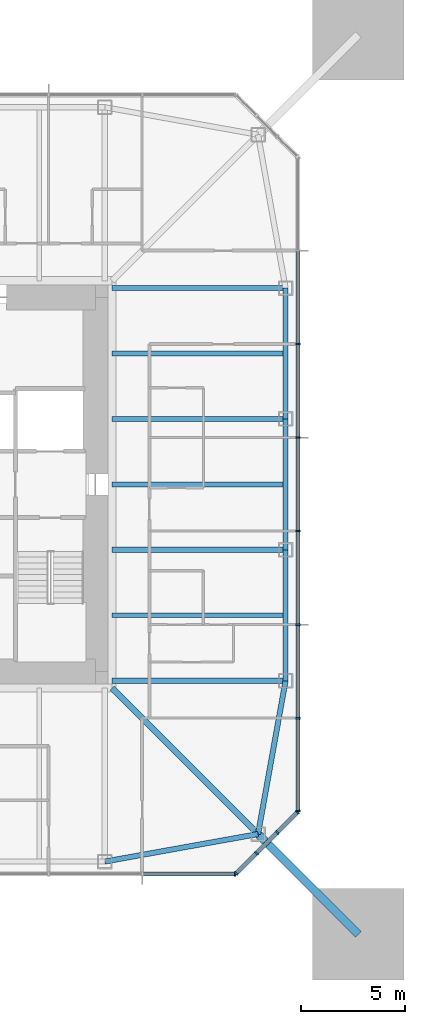
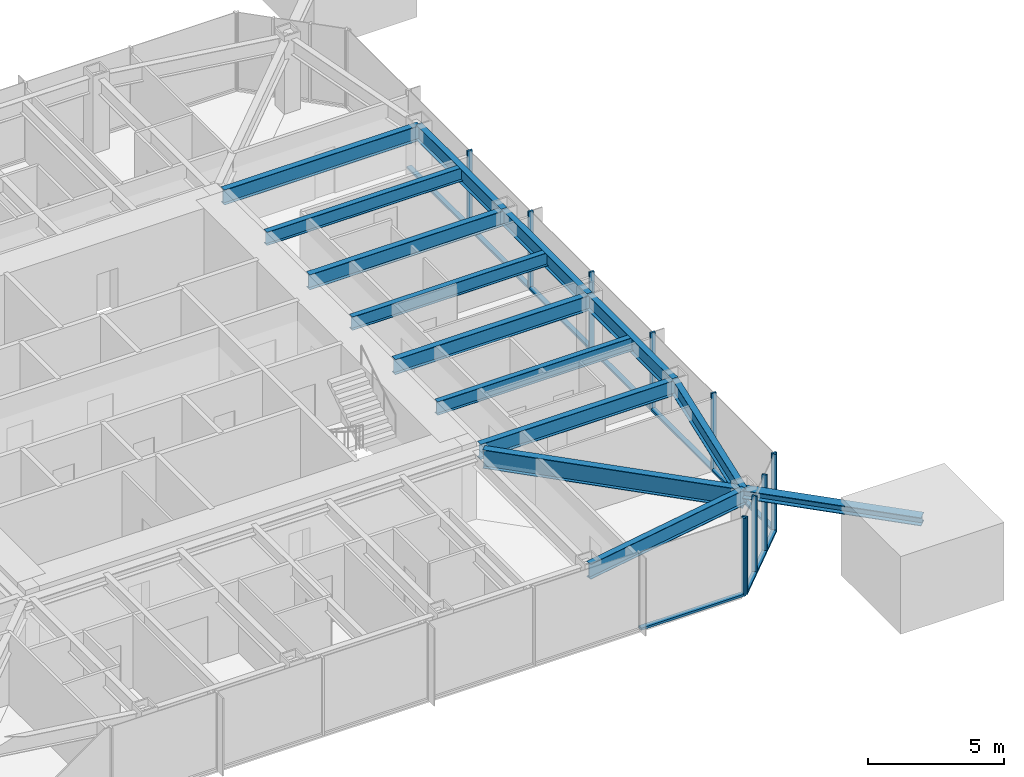
# One storey, part 3 of 11: 22 members, 13 beams, 3 elements without a shape of their own.
"""IFC4 building model written with IfcOpenShell, lengths in metres."""

from ifc_helpers import new_model, si_unit, direction, frame, origin, origin_2d, place, context, subcontext, project, spatial, rectangle, i_section, extrude, material, material_profile, profile_set, type_object, element, aggregate, save


model = new_model("IFC4")

# Units and contexts
model_context = context("Model", 3, precision=1e-05, world=origin(), true_north=direction((0.0, 1.0)))
body_context = subcontext(model_context, "Body", "Model", "MODEL_VIEW")
ifc_project = project(units=[si_unit("LENGTHUNIT", "METRE"), si_unit("AREAUNIT", "SQUARE_METRE"), si_unit("VOLUMEUNIT", "CUBIC_METRE"), si_unit("PLANEANGLEUNIT", "RADIAN"), si_unit("MASSUNIT", "GRAM", prefix="KILO")], contexts=[model_context])

# Site, building, storey
site_placement = place(None, origin())
site = spatial("IfcSite", under=ifc_project, at=site_placement, CompositionType="ELEMENT")
building_placement = place(site_placement, origin())
building = spatial("IfcBuilding", under=site, at=building_placement, Name="Iwan Alto Co-Living Towers", CompositionType="ELEMENT")
storey_placement = place(building_placement, frame((0.0, 0.0, 156.5)))
storey = spatial("IfcBuildingStorey", under=building, at=storey_placement, Name="L42", CompositionType="ELEMENT", Elevation=156.5)

# Curtain wall, member
ifc_material_1 = material(Name="Bronze aluminium unitised frame", Category="aluminium")
curtain_wall_type_1 = type_object("IfcCurtainWallType", Name="CURTAIN WALL CW-A", PredefinedType="NOTDEFINED", material=ifc_material_1)
curtain_wall_1_placement = place(storey_placement, origin())
curtain_wall_1 = element("IfcCurtainWall", 1, at=curtain_wall_1_placement, inside=storey, type_object=curtain_wall_type_1, Name="T1 curtain wall S L42", PredefinedType="NOTDEFINED")
ifc_material_2 = material(Name="Aluminium 6063-T6 bronze anodised", Category="aluminium")
ifc_material_profile_1 = material_profile(ifc_material_2, rectangle(XDim=0.199951171875, YDim=0.080078125, at=origin_2d()), Name="AL 80X200")
ifc_profile_set_1 = profile_set([ifc_material_profile_1], Name="Aluminium 6063-T6 bronze anodised")
member_type_1 = type_object("IfcMemberType", Name="CW-A MULLION 80X200", PredefinedType="MULLION", material=ifc_profile_set_1)
member_1_placement = place(storey_placement, frame((15.7099609375, -18.75, 0.0), z_axis=(0.0, 0.0, 1.0), x_axis=(0.0, 1.0, 0.0)))
member_1 = element("IfcMember", 2, at=member_1_placement, type_object=member_type_1, Name="CW-A mullion 8", PredefinedType="MULLION", context=body_context, shape_type="SweptSolid", body=[
    extrude(rectangle(XDim=0.199951171875, YDim=0.080078125, at=origin_2d()), origin(), (0.0, 0.0, 1.0), 3.5),
])

# Curtain wall, members
curtain_wall_2_placement = place(storey_placement, origin())
curtain_wall_2 = element("IfcCurtainWall", 3, at=curtain_wall_2_placement, inside=storey, type_object=curtain_wall_type_1, Name="T1 curtain wall E L42", PredefinedType="NOTDEFINED")
member_2_placement = place(storey_placement, frame((18.75, -15.7099609375, 0.0), z_axis=(0.0, 0.0, 1.0), x_axis=(-1.0, 0.0, 0.0)))
member_2 = element("IfcMember", 4, at=member_2_placement, type_object=member_type_1, Name="CW-A mullion 1", PredefinedType="MULLION", context=body_context, shape_type="SweptSolid", body=[
    extrude(rectangle(XDim=0.199951171875, YDim=0.080078125, at=origin_2d()), origin(), (0.0, 0.0, 1.0), 3.5),
])
member_3_placement = place(storey_placement, frame((18.75, -11.25, 0.0), z_axis=(0.0, 0.0, 1.0), x_axis=(-1.0, 0.0, 0.0)))
member_3 = element("IfcMember", 5, at=member_3_placement, type_object=member_type_1, Name="CW-A mullion 2", PredefinedType="MULLION", context=body_context, shape_type="SweptSolid", body=[
    extrude(rectangle(XDim=0.199951171875, YDim=0.080078125, at=origin_2d()), origin(), (0.0, 0.0, 1.0), 3.5),
])
member_4_placement = place(storey_placement, frame((18.75, -6.75, 0.0), z_axis=(0.0, 0.0, 1.0), x_axis=(-1.0, 0.0, 0.0)))
member_4 = element("IfcMember", 6, at=member_4_placement, type_object=member_type_1, Name="CW-A mullion 3", PredefinedType="MULLION", context=body_context, shape_type="SweptSolid", body=[
    extrude(rectangle(XDim=0.199951171875, YDim=0.080078125, at=origin_2d()), origin(), (0.0, 0.0, 1.0), 3.5),
])
member_5_placement = place(storey_placement, frame((18.75, -2.25, 0.0), z_axis=(0.0, 0.0, 1.0), x_axis=(-1.0, 0.0, 0.0)))
member_5 = element("IfcMember", 7, at=member_5_placement, type_object=member_type_1, Name="CW-A mullion 4", PredefinedType="MULLION", context=body_context, shape_type="SweptSolid", body=[
    extrude(rectangle(XDim=0.199951171875, YDim=0.080078125, at=origin_2d()), origin(), (0.0, 0.0, 1.0), 3.5),
])
member_6_placement = place(storey_placement, frame((18.75, 2.25, 0.0), z_axis=(0.0, 0.0, 1.0), x_axis=(-1.0, 0.0, 0.0)))
member_6 = element("IfcMember", 8, at=member_6_placement, type_object=member_type_1, Name="CW-A mullion 5", PredefinedType="MULLION", context=body_context, shape_type="SweptSolid", body=[
    extrude(rectangle(XDim=0.199951171875, YDim=0.080078125, at=origin_2d()), origin(), (0.0, 0.0, 1.0), 3.5),
])
member_7_placement = place(storey_placement, frame((18.75, 6.75, 0.0), z_axis=(0.0, 0.0, 1.0), x_axis=(-1.0, 0.0, 0.0)))
member_7 = element("IfcMember", 9, at=member_7_placement, type_object=member_type_1, Name="CW-A mullion 6", PredefinedType="MULLION", context=body_context, shape_type="SweptSolid", body=[
    extrude(rectangle(XDim=0.199951171875, YDim=0.080078125, at=origin_2d()), origin(), (0.0, 0.0, 1.0), 3.5),
])

# Member
ifc_material_3 = material(Name="Aluminium 6063-T6 bronze anodised", Category="aluminium")
ifc_material_profile_2 = material_profile(ifc_material_3, rectangle(XDim=0.199951171875, YDim=0.10009765625, at=origin_2d()), Name="AL 200X100")
ifc_profile_set_2 = profile_set([ifc_material_profile_2], Name="Aluminium 6063-T6 bronze anodised")
member_type_2 = type_object("IfcMemberType", Name="CW-A TRANSOM 200X100", PredefinedType="USERDEFINED", material=ifc_profile_set_2)
member_8_placement = place(storey_placement, frame((11.2900390625, -18.75, 0.050048828125), z_axis=(1.0, 0.0, 0.0), x_axis=(0.0, 1.0, 0.0)))
member_8 = element("IfcMember", 10, at=member_8_placement, type_object=member_type_2, Name="CW-A transom 7.1", ObjectType="TRANSOM", PredefinedType="USERDEFINED", context=body_context, shape_type="SweptSolid", body=[
    extrude(rectangle(XDim=0.199951171875, YDim=0.10009765625, at=origin_2d()), origin(), (0.0, 0.0, 1.0), 4.3798828125),
])

aggregate(curtain_wall_1, [member_1, member_8])

member_9_placement = place(storey_placement, frame((18.75, -15.669921875, 0.050048828125), z_axis=(0.0, 1.0, 0.0), x_axis=(-1.0, 0.0, 0.0)))
member_9 = element("IfcMember", 11, at=member_9_placement, type_object=member_type_2, Name="CW-A transom 1.1", ObjectType="TRANSOM", PredefinedType="USERDEFINED", context=body_context, shape_type="SweptSolid", body=[
    extrude(rectangle(XDim=0.199951171875, YDim=0.10009765625, at=origin_2d()), origin(), (0.0, 0.0, 1.0), 4.3798828125),
])

member_10_placement = place(storey_placement, frame((18.75, -11.2099609375, 0.050048828125), z_axis=(0.0, 1.0, 0.0), x_axis=(-1.0, 0.0, 0.0)))
member_10 = element("IfcMember", 12, at=member_10_placement, type_object=member_type_2, Name="CW-A transom 2.1", ObjectType="TRANSOM", PredefinedType="USERDEFINED", context=body_context, shape_type="SweptSolid", body=[
    extrude(rectangle(XDim=0.199951171875, YDim=0.10009765625, at=origin_2d()), origin(), (0.0, 0.0, 1.0), 4.419921875),
])

member_11_placement = place(storey_placement, frame((18.75, -6.7099609375, 0.050048828125), z_axis=(0.0, 1.0, 0.0), x_axis=(-1.0, 0.0, 0.0)))
member_11 = element("IfcMember", 13, at=member_11_placement, type_object=member_type_2, Name="CW-A transom 3.1", ObjectType="TRANSOM", PredefinedType="USERDEFINED", context=body_context, shape_type="SweptSolid", body=[
    extrude(rectangle(XDim=0.199951171875, YDim=0.10009765625, at=origin_2d()), origin(), (0.0, 0.0, 1.0), 4.419921875),
])

member_12_placement = place(storey_placement, frame((18.75, -2.2099609375, 0.050048828125), z_axis=(0.0, 1.0, 0.0), x_axis=(-1.0, 0.0, 0.0)))
member_12 = element("IfcMember", 14, at=member_12_placement, type_object=member_type_2, Name="CW-A transom 4.1", ObjectType="TRANSOM", PredefinedType="USERDEFINED", context=body_context, shape_type="SweptSolid", body=[
    extrude(rectangle(XDim=0.199951171875, YDim=0.10009765625, at=origin_2d()), origin(), (0.0, 0.0, 1.0), 4.419921875),
])

member_13_placement = place(storey_placement, frame((18.75, 2.2900390625, 0.050048828125), z_axis=(0.0, 1.0, 0.0), x_axis=(-1.0, 0.0, 0.0)))
member_13 = element("IfcMember", 15, at=member_13_placement, type_object=member_type_2, Name="CW-A transom 5.1", ObjectType="TRANSOM", PredefinedType="USERDEFINED", context=body_context, shape_type="SweptSolid", body=[
    extrude(rectangle(XDim=0.199951171875, YDim=0.10009765625, at=origin_2d()), origin(), (0.0, 0.0, 1.0), 4.419921875),
])

member_14_placement = place(storey_placement, frame((18.75, 6.7900390625, 0.050048828125), z_axis=(0.0, 1.0, 0.0), x_axis=(-1.0, 0.0, 0.0)))
member_14 = element("IfcMember", 16, at=member_14_placement, type_object=member_type_2, Name="CW-A transom 6.1", ObjectType="TRANSOM", PredefinedType="USERDEFINED", context=body_context, shape_type="SweptSolid", body=[
    extrude(rectangle(XDim=0.199951171875, YDim=0.10009765625, at=origin_2d()), origin(), (0.0, 0.0, 1.0), 4.419921875),
])

aggregate(curtain_wall_2, [member_2, member_3, member_4, member_5, member_6, member_7, member_9, member_10, member_11, member_12, member_13, member_14])

# Curtain wall, members
ifc_material_4 = material(Name="Bronze aluminium unitised frame", Category="aluminium")
curtain_wall_type_2 = type_object("IfcCurtainWallType", Name="CURTAIN WALL CW-B", PredefinedType="NOTDEFINED", material=ifc_material_4)
curtain_wall_3_placement = place(storey_placement, origin())
curtain_wall_3 = element("IfcCurtainWall", 17, at=curtain_wall_3_placement, inside=storey, type_object=curtain_wall_type_2, Name="T1 chamfer curtain wall SE L42", PredefinedType="NOTDEFINED")
ifc_material_5 = material(Name="Aluminium 6063-T6 bronze anodised", Category="aluminium")
ifc_material_profile_3 = material_profile(ifc_material_5, rectangle(XDim=0.199951171875, YDim=0.080078125, at=origin_2d()), Name="AL 80X200")
ifc_profile_set_3 = profile_set([ifc_material_profile_3], Name="Aluminium 6063-T6 bronze anodised")
member_type_3 = type_object("IfcMemberType", Name="CW-B MULLION 80X200", PredefinedType="MULLION", material=ifc_profile_set_3)
member_15_placement = place(storey_placement, frame((15.7783203125, -18.7216796875, 0.0), z_axis=(0.0, 0.0, 1.0), x_axis=(-0.707106781187, 0.707106781187, 0.0)))
member_15 = element("IfcMember", 18, at=member_15_placement, type_object=member_type_3, Name="CW-B mullion 1", PredefinedType="MULLION", context=body_context, shape_type="SweptSolid", body=[
    extrude(rectangle(XDim=0.199951171875, YDim=0.080078125, at=origin_2d()), origin(), (0.0, 0.0, 1.0), 3.5),
])
member_16_placement = place(storey_placement, frame((16.75, -17.75, 0.0), z_axis=(0.0, 0.0, 1.0), x_axis=(-0.707106781187, 0.707106781187, 0.0)))
member_16 = element("IfcMember", 19, at=member_16_placement, type_object=member_type_3, Name="CW-B mullion 2", PredefinedType="MULLION", context=body_context, shape_type="SweptSolid", body=[
    extrude(rectangle(XDim=0.199951171875, YDim=0.080078125, at=origin_2d()), origin(), (0.0, 0.0, 1.0), 3.5),
])
member_17_placement = place(storey_placement, frame((17.75, -16.75, 0.0), z_axis=(0.0, 0.0, 1.0), x_axis=(-0.707106781187, 0.707106781187, 0.0)))
member_17 = element("IfcMember", 20, at=member_17_placement, type_object=member_type_3, Name="CW-B mullion 3", PredefinedType="MULLION", context=body_context, shape_type="SweptSolid", body=[
    extrude(rectangle(XDim=0.199951171875, YDim=0.080078125, at=origin_2d()), origin(), (0.0, 0.0, 1.0), 3.5),
])
member_18_placement = place(storey_placement, frame((18.7216796875, -15.7783203125, 0.0), z_axis=(0.0, 0.0, 1.0), x_axis=(-0.707106781187, 0.707106781187, 0.0)))
member_18 = element("IfcMember", 21, at=member_18_placement, type_object=member_type_3, Name="CW-B mullion 4", PredefinedType="MULLION", context=body_context, shape_type="SweptSolid", body=[
    extrude(rectangle(XDim=0.199951171875, YDim=0.080078125, at=origin_2d()), origin(), (0.0, 0.0, 1.0), 3.5),
])
ifc_material_6 = material(Name="Aluminium 6063-T6 bronze anodised", Category="aluminium")
ifc_material_profile_4 = material_profile(ifc_material_6, rectangle(XDim=0.199951171875, YDim=0.10009765625, at=origin_2d()), Name="AL 200X100")
ifc_profile_set_4 = profile_set([ifc_material_profile_4], Name="Aluminium 6063-T6 bronze anodised")
member_type_4 = type_object("IfcMemberType", Name="CW-B TRANSOM 200X100", PredefinedType="USERDEFINED", material=ifc_profile_set_4)
member_19_placement = place(storey_placement, frame((15.806640625, -18.693359375, 0.050048828125), z_axis=(0.707106781187, 0.707106781187, 0.0), x_axis=(-0.707106781187, 0.707106781187, 0.0)))
member_19 = element("IfcMember", 22, at=member_19_placement, type_object=member_type_4, Name="CW-B transom 1.1", ObjectType="TRANSOM", PredefinedType="USERDEFINED", context=body_context, shape_type="SweptSolid", body=[
    extrude(rectangle(XDim=0.199951171875, YDim=0.10009765625, at=origin_2d()), origin(), (0.0, 0.0, 1.0), 1.2939453125),
])
member_20_placement = place(storey_placement, frame((16.7783203125, -17.7216796875, 0.050048828125), z_axis=(0.707106781187, 0.707106781187, 0.0), x_axis=(-0.707106781187, 0.707106781187, 0.0)))
member_20 = element("IfcMember", 23, at=member_20_placement, type_object=member_type_4, Name="CW-B transom 2.1", ObjectType="TRANSOM", PredefinedType="USERDEFINED", context=body_context, shape_type="SweptSolid", body=[
    extrude(rectangle(XDim=0.199951171875, YDim=0.10009765625, at=origin_2d()), origin(), (0.0, 0.0, 1.0), 1.334228515625),
])
member_21_placement = place(storey_placement, frame((17.7783203125, -16.7216796875, 0.050048828125), z_axis=(0.707106781187, 0.707106781187, 0.0), x_axis=(-0.707106781187, 0.707106781187, 0.0)))
member_21 = element("IfcMember", 24, at=member_21_placement, type_object=member_type_4, Name="CW-B transom 3.1", ObjectType="TRANSOM", PredefinedType="USERDEFINED", context=body_context, shape_type="SweptSolid", body=[
    extrude(rectangle(XDim=0.199951171875, YDim=0.10009765625, at=origin_2d()), origin(), (0.0, 0.0, 1.0), 1.2939453125),
])
aggregate(curtain_wall_3, [member_15, member_16, member_17, member_18, member_19, member_20, member_21])

# Beams
ifc_material_7 = material(Name="Steel ASTM A992 Gr 50", Category="steel")
ifc_material_profile_5 = material_profile(ifc_material_7, i_section(OverallWidth=0.2919921875, OverallDepth=0.8408203125, WebThickness=0.0146484375, FlangeThickness=0.021728515625, at=origin_2d()), Name="W33X130")
ifc_profile_set_5 = profile_set([ifc_material_profile_5], Name="Steel ASTM A992 Gr 50")
beam_type_1 = type_object("IfcBeamType", Name="T1 CORNER GIRDER W33X130", PredefinedType="BEAM", material=ifc_profile_set_5)
beam_1_placement = place(storey_placement, frame((16.82568359375, -16.82568359375, 2.849609375), z_axis=(-0.707106781187, 0.707106781187, 0.0), x_axis=(-0.707106781187, -0.707106781187, 0.0)))
element("IfcBeam", 25, at=beam_1_placement, inside=storey, type_object=beam_type_1, Name="T1 corner girder CSE L43", PredefinedType="BEAM", context=body_context, shape_type="SweptSolid", body=[
    extrude(i_section(OverallWidth=0.2919921875, OverallDepth=0.8408203125, WebThickness=0.0146484375, FlangeThickness=0.021728515625, at=origin_2d()), origin(), (0.0, 0.0, 1.0), 9.936767578125),
])
ifc_material_8 = material(Name="Steel ASTM A992 Gr 50", Category="steel")
ifc_material_profile_6 = material_profile(ifc_material_8, i_section(OverallWidth=0.25390625, OverallDepth=0.683349609375, WebThickness=0.012451171875, FlangeThickness=0.018798828125, at=origin_2d()), Name="W27X94")
ifc_profile_set_6 = profile_set([ifc_material_profile_6], Name="Steel ASTM A992 Gr 50")
beam_type_2 = type_object("IfcBeamType", Name="T1 EDGE BEAM W27X94", PredefinedType="BEAM", material=ifc_profile_set_6)
for number, where, z_axis, x_axis, name in (
    (26, (9.449951171875, -18.14990234375, 2.928466796875), (0.98426263553, 0.17671181143, 0.0), (-0.17671181143, 0.98426263553, 0.0), "T1 edge beam S4 L43"),
    (27, (16.82568359375, -16.82568359375, 2.928466796875), (0.17671181143, 0.98426263553, 0.0), (-0.98426263553, 0.17671181143, 0.0), "T1 edge beam CSE L43"),
):
    element("IfcBeam", number, at=place(storey_placement, frame(where, z_axis=z_axis, x_axis=x_axis)), inside=storey, type_object=beam_type_2, Name=name, PredefinedType="BEAM", context=body_context, shape_type="SweptSolid", body=[
        extrude(i_section(OverallWidth=0.25390625, OverallDepth=0.683349609375, WebThickness=0.012451171875, FlangeThickness=0.018798828125, at=origin_2d()), origin(), (0.0, 0.0, 1.0), 7.49365234375),
    ])
beam_2_placement = place(storey_placement, frame((18.14990234375, -9.449951171875, 2.928466796875), z_axis=(0.0, 1.0, 0.0), x_axis=(-1.0, 0.0, 0.0)))
element("IfcBeam", 28, at=beam_2_placement, inside=storey, type_object=beam_type_2, Name="T1 edge beam E1 L43", PredefinedType="BEAM", context=body_context, shape_type="SweptSolid", body=[
    extrude(i_section(OverallWidth=0.25390625, OverallDepth=0.683349609375, WebThickness=0.012451171875, FlangeThickness=0.018798828125, at=origin_2d()), origin(), (0.0, 0.0, 1.0), 6.300048828125),
])
beam_3_placement = place(storey_placement, frame((18.14990234375, -3.14990234375, 2.928466796875), z_axis=(0.0, 1.0, 0.0), x_axis=(-1.0, 0.0, 0.0)))
element("IfcBeam", 29, at=beam_3_placement, inside=storey, type_object=beam_type_2, Name="T1 edge beam E2 L43", PredefinedType="BEAM", context=body_context, shape_type="SweptSolid", body=[
    extrude(i_section(OverallWidth=0.25390625, OverallDepth=0.683349609375, WebThickness=0.012451171875, FlangeThickness=0.018798828125, at=origin_2d()), origin(), (0.0, 0.0, 1.0), 6.2998046875),
])
beam_4_placement = place(storey_placement, frame((18.14990234375, 3.14990234375, 2.928466796875), z_axis=(0.0, 1.0, 0.0), x_axis=(-1.0, 0.0, 0.0)))
element("IfcBeam", 30, at=beam_4_placement, inside=storey, type_object=beam_type_2, Name="T1 edge beam E3 L43", PredefinedType="BEAM", context=body_context, shape_type="SweptSolid", body=[
    extrude(i_section(OverallWidth=0.25390625, OverallDepth=0.683349609375, WebThickness=0.012451171875, FlangeThickness=0.018798828125, at=origin_2d()), origin(), (0.0, 0.0, 1.0), 6.300048828125),
])

# Member
ifc_material_9 = material(Name="Steel ASTM A992 Gr 50", Category="steel")
ifc_material_profile_7 = material_profile(ifc_material_9, i_section(OverallWidth=0.393798828125, OverallDepth=0.3759765625, WebThickness=0.017333984375, FlangeThickness=0.027587890625, at=origin_2d()), Name="W14X145")
ifc_profile_set_7 = profile_set([ifc_material_profile_7], Name="Steel ASTM A992 Gr 50")
member_type_5 = type_object("IfcMemberType", Name="T1 MEGA COLUMN FLOOR TIE W14X145", PredefinedType="STRUT", material=ifc_profile_set_7)
member_22_placement = place(storey_placement, frame((21.64990234375, -21.64990234375, 3.08203125), z_axis=(-0.707106781187, 0.707106781187, 0.0), x_axis=(-0.707106781187, -0.707106781187, 0.0)))
element("IfcMember", 31, at=member_22_placement, inside=storey, type_object=member_type_5, Name="T1 mega column floor tie SE L43", PredefinedType="STRUT", context=body_context, shape_type="SweptSolid", body=[
    extrude(i_section(OverallWidth=0.393798828125, OverallDepth=0.3759765625, WebThickness=0.017333984375, FlangeThickness=0.027587890625, at=origin_2d()), origin(), (0.0, 0.0, 1.0), 6.822509765625),
])

# Beams
ifc_material_10 = material(Name="Steel ASTM A992 Gr 50", Category="steel")
ifc_material_profile_8 = material_profile(ifc_material_10, i_section(OverallWidth=0.25390625, OverallDepth=0.683349609375, WebThickness=0.012451171875, FlangeThickness=0.018798828125, at=origin_2d()), Name="W27X94")
ifc_profile_set_8 = profile_set([ifc_material_profile_8], Name="Steel ASTM A992 Gr 50")
beam_type_3 = type_object("IfcBeamType", Name="T1 RADIAL BEAM W27X94", PredefinedType="BEAM", material=ifc_profile_set_8)
for number, where, z_axis, x_axis, name in (
    (32, (18.14990234375, -9.449951171875, 2.928466796875), (-1.0, 0.0, 0.0), (0.0, -1.0, 0.0), "T1 radial beam E1 L43"),
    (33, (18.14990234375, -3.14990234375, 2.928466796875), (-1.0, 0.0, 0.0), (0.0, -1.0, 0.0), "T1 radial beam E2 L43"),
    (34, (18.14990234375, 3.14990234375, 2.928466796875), (-1.0, 0.0, 0.0), (0.0, -1.0, 0.0), "T1 radial beam E3 L43"),
    (35, (18.14990234375, 9.449951171875, 2.928466796875), (-1.0, 0.0, 0.0), (0.0, -1.0, 0.0), "T1 radial beam E4 L43"),
):
    element("IfcBeam", number, at=place(storey_placement, frame(where, z_axis=z_axis, x_axis=x_axis)), inside=storey, type_object=beam_type_3, Name=name, PredefinedType="BEAM", context=body_context, shape_type="SweptSolid", body=[
        extrude(i_section(OverallWidth=0.25390625, OverallDepth=0.683349609375, WebThickness=0.012451171875, FlangeThickness=0.018798828125, at=origin_2d()), origin(), (0.0, 0.0, 1.0), 8.3505859375),
    ])
ifc_material_11 = material(Name="Steel ASTM A992 Gr 50", Category="steel")
ifc_material_profile_9 = material_profile(ifc_material_11, i_section(OverallWidth=0.228271484375, OverallDepth=0.607177734375, WebThickness=0.01123046875, FlangeThickness=0.017333984375, at=origin_2d()), Name="W24X76")
ifc_profile_set_9 = profile_set([ifc_material_profile_9], Name="Steel ASTM A992 Gr 50")
beam_type_4 = type_object("IfcBeamType", Name="T1 SECONDARY BEAM W24X76", PredefinedType="JOIST", material=ifc_profile_set_9)
for number, where, z_axis, x_axis, name in (
    (36, (18.14990234375, -6.300048828125, 2.966552734375), (-1.0, 0.0, 0.0), (0.0, -1.0, 0.0), "T1 secondary beam E1 L43"),
    (37, (18.14990234375, 0.0, 2.966552734375), (-1.0, 0.0, 0.0), (0.0, -1.0, 0.0), "T1 secondary beam E2 L43"),
    (38, (18.14990234375, 6.300048828125, 2.966552734375), (-1.0, 0.0, 0.0), (0.0, -1.0, 0.0), "T1 secondary beam E3 L43"),
):
    element("IfcBeam", number, at=place(storey_placement, frame(where, z_axis=z_axis, x_axis=x_axis)), inside=storey, type_object=beam_type_4, Name=name, PredefinedType="JOIST", context=body_context, shape_type="SweptSolid", body=[
        extrude(i_section(OverallWidth=0.228271484375, OverallDepth=0.607177734375, WebThickness=0.01123046875, FlangeThickness=0.017333984375, at=origin_2d()), origin(), (0.0, 0.0, 1.0), 8.3505859375),
    ])

save(model, "model.ifc")
